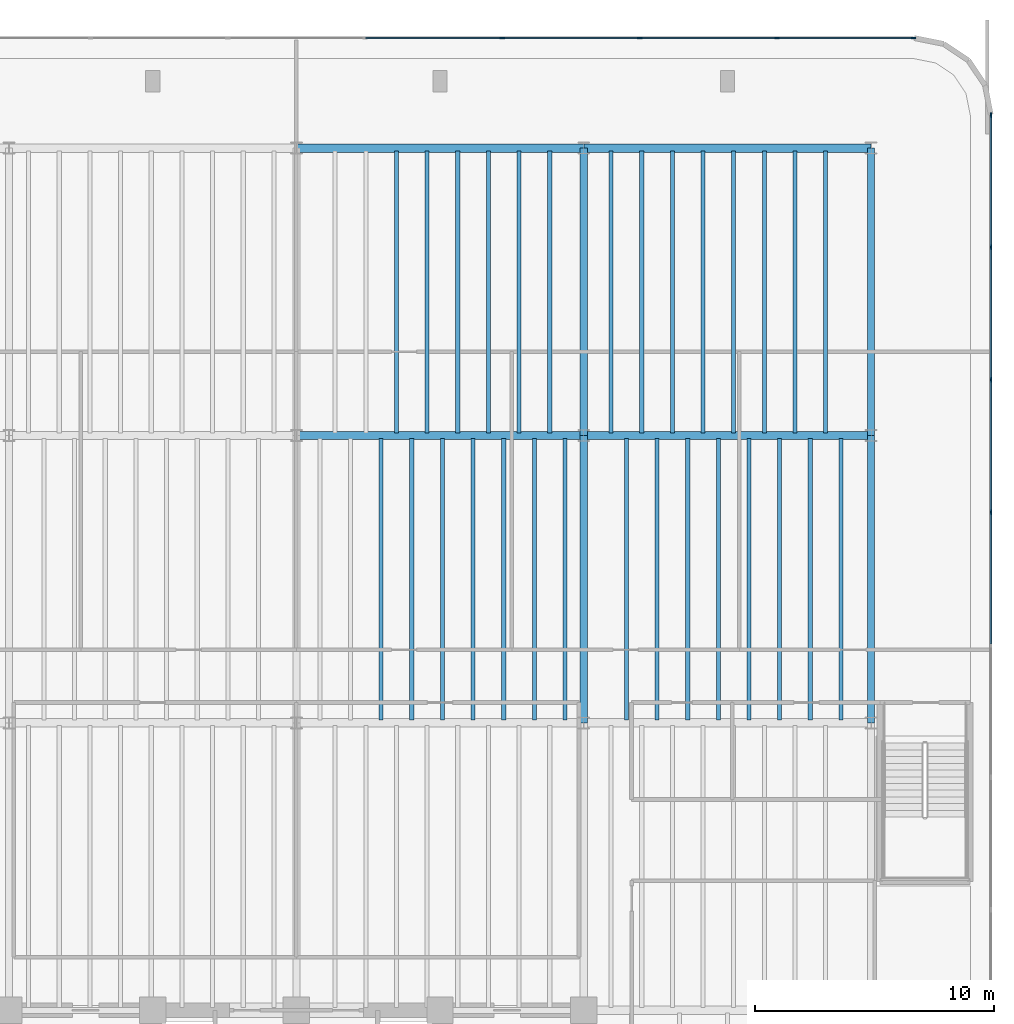
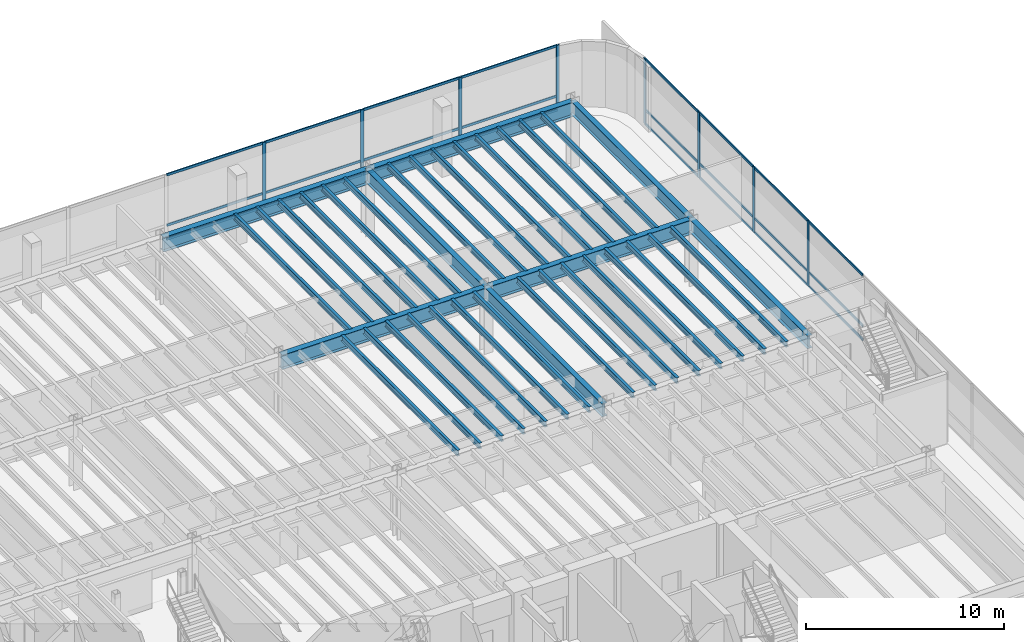
# One storey, part 9 of 18: 37 beams, 32 members, 2 elements without a shape of their own.
"""IFC4 building model written with IfcOpenShell, lengths in metres."""

from ifc_helpers import new_model, si_unit, direction, frame, origin, origin_2d, place, context, subcontext, project, spatial, rectangle, i_section, extrude, source, transform, mapped, material, layer, layer_set, material_profile, profile_set, type_object, element, aggregate, save


model = new_model("IFC4")

# Units and contexts
model_context = context("Model", 3, precision=1e-05, world=origin(), true_north=direction((0.0, 1.0)))
body_context = subcontext(model_context, "Body", "Model", "MODEL_VIEW")
ifc_project = project(units=[si_unit("LENGTHUNIT", "METRE"), si_unit("AREAUNIT", "SQUARE_METRE"), si_unit("VOLUMEUNIT", "CUBIC_METRE"), si_unit("PLANEANGLEUNIT", "RADIAN"), si_unit("MASSUNIT", "GRAM", prefix="KILO")], contexts=[model_context])

# Site, building, storey
site_placement = place(None, origin())
site = spatial("IfcSite", under=ifc_project, at=site_placement, CompositionType="ELEMENT")
building_placement = place(site_placement, origin())
building = spatial("IfcBuilding", under=site, at=building_placement, Name="Brelvock Crest Care Tower", CompositionType="ELEMENT")
storey_placement = place(building_placement, frame((0.0, 0.0, 5.39990234375)))
storey = spatial("IfcBuildingStorey", under=building, at=storey_placement, Name="L01", CompositionType="ELEMENT", Elevation=5.39990234375)

# Beams
ifc_material_1 = material(Name="Steel Grade 350", Category="steel")
ifc_material_profile_1 = material_profile(ifc_material_1, i_section(OverallWidth=0.300048828125, OverallDepth=0.800048828125, WebThickness=0.013916015625, FlangeThickness=0.02197265625, at=origin_2d()), Name="800WB192")
ifc_profile_set_1 = profile_set([ifc_material_profile_1], Name="Steel Grade 350")
beam_type_1 = type_object("IfcBeamType", Name="BM-G5", PredefinedType="BEAM", material=ifc_profile_set_1)
shared_shape_1 = source(origin(), body_context, "Body", "SweptSolid", [
    extrude(i_section(OverallWidth=0.300048828125, OverallDepth=0.800048828125, WebThickness=0.013916015625, FlangeThickness=0.02197265625, at=origin_2d()), origin(), (0.0, 0.0, 1.0), 12.0),
])
for number, where, z_axis, x_axis, name in (
    (1, (48.0, 30.0, 3.64013671875), (0.0, 1.0, 0.0), (-1.0, 0.0, 0.0), "BM-PODY-L01-48-30"),
    (2, (48.0, 42.0, 3.64013671875), (0.0, 1.0, 0.0), (-1.0, 0.0, 0.0), "BM-PODY-L01-48-42"),
    (3, (60.0, 30.0, 3.64013671875), (0.0, 1.0, 0.0), (-1.0, 0.0, 0.0), "BM-PODY-L01-60-30"),
    (4, (60.0, 42.0, 3.64013671875), (0.0, 1.0, 0.0), (-1.0, 0.0, 0.0), "BM-PODY-L01-60-42"),
):
    element("IfcBeam", number, at=place(storey_placement, frame(where, z_axis=z_axis, x_axis=x_axis)), inside=storey, type_object=beam_type_1, Name=name, PredefinedType="BEAM", context=body_context, shape_type="MappedRepresentation", body=[
        mapped(shared_shape_1, transform((0.0, 0.0, 0.0), x_axis=(1.0, 0.0, 0.0), y_axis=(0.0, 1.0, 0.0), z_axis=(0.0, 0.0, 1.0), scale=1.0)),
    ])
ifc_material_profile_2 = material_profile(ifc_material_1, i_section(OverallWidth=0.35009765625, OverallDepth=0.89990234375, WebThickness=0.01611328125, FlangeThickness=0.028076171875, at=origin_2d()), Name="900WB257")
ifc_profile_set_2 = profile_set([ifc_material_profile_2], Name="Steel Grade 350")
beam_type_2 = type_object("IfcBeamType", Name="BM-G6", PredefinedType="BEAM", material=ifc_profile_set_2)
shared_shape_2 = source(origin(), body_context, "Body", "SweptSolid", [
    extrude(i_section(OverallWidth=0.35009765625, OverallDepth=0.89990234375, WebThickness=0.01611328125, FlangeThickness=0.028076171875, at=origin_2d()), origin(), (0.0, 0.0, 1.0), 12.0),
])
for number, where, z_axis, x_axis, name in (
    (5, (36.0, 42.0, 3.590087890625), (1.0, 0.0, 0.0), (0.0, 1.0, 0.0), "BM-PODX-L01-42-36"),
    (6, (48.0, 42.0, 3.590087890625), (1.0, 0.0, 0.0), (0.0, 1.0, 0.0), "BM-PODX-L01-42-48"),
    (7, (36.0, 54.0, 3.590087890625), (1.0, 0.0, 0.0), (0.0, 1.0, 0.0), "BM-PODX-L01-54-36"),
    (8, (48.0, 54.0, 3.590087890625), (1.0, 0.0, 0.0), (0.0, 1.0, 0.0), "BM-PODX-L01-54-48"),
):
    element("IfcBeam", number, at=place(storey_placement, frame(where, z_axis=z_axis, x_axis=x_axis)), inside=storey, type_object=beam_type_2, Name=name, PredefinedType="BEAM", context=body_context, shape_type="MappedRepresentation", body=[
        mapped(shared_shape_2, transform((0.0, 0.0, 0.0), x_axis=(1.0, 0.0, 0.0), y_axis=(0.0, 1.0, 0.0), z_axis=(0.0, 0.0, 1.0), scale=1.0)),
    ])
ifc_material_profile_3 = material_profile(ifc_material_1, i_section(OverallWidth=0.172119140625, OverallDepth=0.35888671875, WebThickness=0.008056640625, FlangeThickness=0.012939453125, FilletRadius=0.011474609375, at=origin_2d()), Name="360UB56.7")
ifc_profile_set_3 = profile_set([ifc_material_profile_3], Name="Steel Grade 350")
beam_type_3 = type_object("IfcBeamType", Name="BM-J1", PredefinedType="JOIST", material=ifc_profile_set_3)
shared_shape_3 = source(origin(), body_context, "Body", "SweptSolid", [
    extrude(i_section(OverallWidth=0.172119140625, OverallDepth=0.35888671875, WebThickness=0.008056640625, FlangeThickness=0.012939453125, FilletRadius=0.011474609375, at=origin_2d()), origin(), (0.0, 0.0, 1.0), 11.77001953125),
])
for number, where, z_axis, x_axis, name in (
    (9, (39.5400390625, 30.114990234375, 3.860595703125), (0.0, 1.0, 0.0), (-1.0, 0.0, 0.0), "BM-PODJ-L01-3954-30"),
    (10, (40.820068359375, 30.114990234375, 3.860595703125), (0.0, 1.0, 0.0), (-1.0, 0.0, 0.0), "BM-PODJ-L01-4082-30"),
    (11, (40.179931640625, 42.114990234375, 3.860595703125), (0.0, 1.0, 0.0), (-1.0, 0.0, 0.0), "BM-PODJ-L01-4018-42"),
    (12, (42.10009765625, 30.114990234375, 3.860595703125), (0.0, 1.0, 0.0), (-1.0, 0.0, 0.0), "BM-PODJ-L01-4210-30"),
    (13, (41.4599609375, 42.114990234375, 3.860595703125), (0.0, 1.0, 0.0), (-1.0, 0.0, 0.0), "BM-PODJ-L01-4146-42"),
    (14, (43.3798828125, 30.114990234375, 3.860595703125), (0.0, 1.0, 0.0), (-1.0, 0.0, 0.0), "BM-PODJ-L01-4338-30"),
    (15, (42.739990234375, 42.114990234375, 3.860595703125), (0.0, 1.0, 0.0), (-1.0, 0.0, 0.0), "BM-PODJ-L01-4274-42"),
    (16, (44.659912109375, 30.114990234375, 3.860595703125), (0.0, 1.0, 0.0), (-1.0, 0.0, 0.0), "BM-PODJ-L01-4466-30"),
    (17, (44.02001953125, 42.114990234375, 3.860595703125), (0.0, 1.0, 0.0), (-1.0, 0.0, 0.0), "BM-PODJ-L01-4402-42"),
    (18, (45.93994140625, 30.114990234375, 3.860595703125), (0.0, 1.0, 0.0), (-1.0, 0.0, 0.0), "BM-PODJ-L01-4594-30"),
    (19, (45.300048828125, 42.114990234375, 3.860595703125), (0.0, 1.0, 0.0), (-1.0, 0.0, 0.0), "BM-PODJ-L01-4530-42"),
    (20, (47.219970703125, 30.114990234375, 3.860595703125), (0.0, 1.0, 0.0), (-1.0, 0.0, 0.0), "BM-PODJ-L01-4722-30"),
    (21, (46.580078125, 42.114990234375, 3.860595703125), (0.0, 1.0, 0.0), (-1.0, 0.0, 0.0), "BM-PODJ-L01-4658-42"),
    (22, (49.780029296875, 30.114990234375, 3.860595703125), (0.0, 1.0, 0.0), (-1.0, 0.0, 0.0), "BM-PODJ-L01-4978-30"),
    (23, (49.139892578125, 42.114990234375, 3.860595703125), (0.0, 1.0, 0.0), (-1.0, 0.0, 0.0), "BM-PODJ-L01-4914-42"),
    (24, (51.06005859375, 30.114990234375, 3.860595703125), (0.0, 1.0, 0.0), (-1.0, 0.0, 0.0), "BM-PODJ-L01-5106-30"),
    (25, (50.419921875, 42.114990234375, 3.860595703125), (0.0, 1.0, 0.0), (-1.0, 0.0, 0.0), "BM-PODJ-L01-5042-42"),
    (26, (52.340087890625, 30.114990234375, 3.860595703125), (0.0, 1.0, 0.0), (-1.0, 0.0, 0.0), "BM-PODJ-L01-5234-30"),
    (27, (51.699951171875, 42.114990234375, 3.860595703125), (0.0, 1.0, 0.0), (-1.0, 0.0, 0.0), "BM-PODJ-L01-5170-42"),
    (28, (53.6201171875, 30.114990234375, 3.860595703125), (0.0, 1.0, 0.0), (-1.0, 0.0, 0.0), "BM-PODJ-L01-5362-30"),
    (29, (52.97998046875, 42.114990234375, 3.860595703125), (0.0, 1.0, 0.0), (-1.0, 0.0, 0.0), "BM-PODJ-L01-5298-42"),
    (30, (54.89990234375, 30.114990234375, 3.860595703125), (0.0, 1.0, 0.0), (-1.0, 0.0, 0.0), "BM-PODJ-L01-5490-30"),
    (31, (54.260009765625, 42.114990234375, 3.860595703125), (0.0, 1.0, 0.0), (-1.0, 0.0, 0.0), "BM-PODJ-L01-5426-42"),
    (32, (56.179931640625, 30.114990234375, 3.860595703125), (0.0, 1.0, 0.0), (-1.0, 0.0, 0.0), "BM-PODJ-L01-5618-30"),
    (33, (55.5400390625, 42.114990234375, 3.860595703125), (0.0, 1.0, 0.0), (-1.0, 0.0, 0.0), "BM-PODJ-L01-5554-42"),
    (34, (57.4599609375, 30.114990234375, 3.860595703125), (0.0, 1.0, 0.0), (-1.0, 0.0, 0.0), "BM-PODJ-L01-5746-30"),
    (35, (56.820068359375, 42.114990234375, 3.860595703125), (0.0, 1.0, 0.0), (-1.0, 0.0, 0.0), "BM-PODJ-L01-5682-42"),
    (36, (58.739990234375, 30.114990234375, 3.860595703125), (0.0, 1.0, 0.0), (-1.0, 0.0, 0.0), "BM-PODJ-L01-5874-30"),
    (37, (58.10009765625, 42.114990234375, 3.860595703125), (0.0, 1.0, 0.0), (-1.0, 0.0, 0.0), "BM-PODJ-L01-5810-42"),
):
    element("IfcBeam", number, at=place(storey_placement, frame(where, z_axis=z_axis, x_axis=x_axis)), inside=storey, type_object=beam_type_3, Name=name, PredefinedType="JOIST", context=body_context, shape_type="MappedRepresentation", body=[
        mapped(shared_shape_3, transform((0.0, 0.0, 0.0), x_axis=(1.0, 0.0, 0.0), y_axis=(0.0, 1.0, 0.0), z_axis=(0.0, 0.0, 1.0), scale=1.0)),
    ])

# Curtain wall, members
ifc_material_2 = material(Name="Dark Glass Double Glazed Low-E", Category="glass")
ifc_layer = layer(ifc_material_2, 0.179931640625, Name="CWS-1")
ifc_layer_set = layer_set([ifc_layer], Name="Dark Glass Double Glazed Low-E")
curtain_wall_type = type_object("IfcCurtainWallType", Name="CWS-1", PredefinedType="NOTDEFINED", material=ifc_layer_set)
curtain_wall_1_placement = place(storey_placement, origin())
curtain_wall_1 = element("IfcCurtainWall", 38, at=curtain_wall_1_placement, inside=storey, type_object=curtain_wall_type, Name="L01 Curtain Wall E09", PredefinedType="NOTDEFINED")
ifc_material_3 = material(Name="Aluminium 6063-T6", Category="aluminium")
ifc_material_profile_4 = material_profile(ifc_material_3, rectangle(XDim=0.06494140625, YDim=0.199951171875, at=origin_2d()), Name="ALU65x200")
ifc_profile_set_4 = profile_set([ifc_material_profile_4], Name="Aluminium 6063-T6")
member_type_1 = type_object("IfcMemberType", Name="CWM-1", PredefinedType="MULLION", material=ifc_profile_set_4)
shared_shape_4 = source(origin(), body_context, "Body", "SweptSolid", [
    extrude(rectangle(XDim=0.06494140625, YDim=0.199951171875, at=origin_2d()), origin(), (0.0, 0.0, 1.0), 4.0400390625),
])
member_1_placement = place(storey_placement, frame((44.60009765625, 58.60009765625, 0.0), z_axis=(0.0, 0.0, 1.0), x_axis=(0.0, 1.0, 0.0)))
member_1 = element("IfcMember", 39, at=member_1_placement, type_object=member_type_1, Name="CW-1 mullion 7", PredefinedType="MULLION", context=body_context, shape_type="MappedRepresentation", body=[
    mapped(shared_shape_4, transform((0.0, 0.0, 0.0), x_axis=(1.0, 0.0, 0.0), y_axis=(0.0, 1.0, 0.0), z_axis=(0.0, 0.0, 1.0), scale=1.0)),
])
member_2_placement = place(storey_placement, frame((50.333251953125, 58.60009765625, 0.0), z_axis=(0.0, 0.0, 1.0), x_axis=(0.0, 1.0, 0.0)))
member_2 = element("IfcMember", 40, at=member_2_placement, type_object=member_type_1, Name="CW-1 mullion 8", PredefinedType="MULLION", context=body_context, shape_type="MappedRepresentation", body=[
    mapped(shared_shape_4, transform((0.0, 0.0, 0.0), x_axis=(1.0, 0.0, 0.0), y_axis=(0.0, 1.0, 0.0), z_axis=(0.0, 0.0, 1.0), scale=1.0)),
])
member_3_placement = place(storey_placement, frame((56.066650390625, 58.60009765625, 0.0), z_axis=(0.0, 0.0, 1.0), x_axis=(0.0, 1.0, 0.0)))
member_3 = element("IfcMember", 41, at=member_3_placement, type_object=member_type_1, Name="CW-1 mullion 9", PredefinedType="MULLION", context=body_context, shape_type="MappedRepresentation", body=[
    mapped(shared_shape_4, transform((0.0, 0.0, 0.0), x_axis=(1.0, 0.0, 0.0), y_axis=(0.0, 1.0, 0.0), z_axis=(0.0, 0.0, 1.0), scale=1.0)),
])
member_4_placement = place(storey_placement, frame((61.767578125, 58.60009765625, 0.0), z_axis=(0.0, 0.0, 1.0), x_axis=(0.0, 1.0, 0.0)))
member_4 = element("IfcMember", 42, at=member_4_placement, type_object=member_type_1, Name="CW-1 mullion 10", PredefinedType="MULLION", context=body_context, shape_type="MappedRepresentation", body=[
    mapped(shared_shape_4, transform((0.0, 0.0, 0.0), x_axis=(1.0, 0.0, 0.0), y_axis=(0.0, 1.0, 0.0), z_axis=(0.0, 0.0, 1.0), scale=1.0)),
])

curtain_wall_2_placement = place(storey_placement, origin())
curtain_wall_2 = element("IfcCurtainWall", 43, at=curtain_wall_2_placement, inside=storey, type_object=curtain_wall_type, Name="L01 Curtain Wall E14", PredefinedType="NOTDEFINED")
member_5_placement = place(storey_placement, frame((65.0, 55.367431640625, 0.0), z_axis=(0.0, 0.0, 1.0), x_axis=(1.0, 0.0, 0.0)))
member_5 = element("IfcMember", 44, at=member_5_placement, type_object=member_type_1, Name="CW-1 mullion 1", PredefinedType="MULLION", context=body_context, shape_type="MappedRepresentation", body=[
    mapped(shared_shape_4, transform((0.0, 0.0, 0.0), x_axis=(1.0, 0.0, 0.0), y_axis=(0.0, 1.0, 0.0), z_axis=(0.0, 0.0, 1.0), scale=1.0)),
])
member_6_placement = place(storey_placement, frame((65.0, 49.86669921875, 0.0), z_axis=(0.0, 0.0, 1.0), x_axis=(1.0, 0.0, 0.0)))
member_6 = element("IfcMember", 45, at=member_6_placement, type_object=member_type_1, Name="CW-1 mullion 2", PredefinedType="MULLION", context=body_context, shape_type="MappedRepresentation", body=[
    mapped(shared_shape_4, transform((0.0, 0.0, 0.0), x_axis=(1.0, 0.0, 0.0), y_axis=(0.0, 1.0, 0.0), z_axis=(0.0, 0.0, 1.0), scale=1.0)),
])
member_7_placement = place(storey_placement, frame((65.0, 44.333251953125, 0.0), z_axis=(0.0, 0.0, 1.0), x_axis=(1.0, 0.0, 0.0)))
member_7 = element("IfcMember", 46, at=member_7_placement, type_object=member_type_1, Name="CW-1 mullion 3", PredefinedType="MULLION", context=body_context, shape_type="MappedRepresentation", body=[
    mapped(shared_shape_4, transform((0.0, 0.0, 0.0), x_axis=(1.0, 0.0, 0.0), y_axis=(0.0, 1.0, 0.0), z_axis=(0.0, 0.0, 1.0), scale=1.0)),
])
member_8_placement = place(storey_placement, frame((65.0, 38.800048828125, 0.0), z_axis=(0.0, 0.0, 1.0), x_axis=(1.0, 0.0, 0.0)))
member_8 = element("IfcMember", 47, at=member_8_placement, type_object=member_type_1, Name="CW-1 mullion 4", PredefinedType="MULLION", context=body_context, shape_type="MappedRepresentation", body=[
    mapped(shared_shape_4, transform((0.0, 0.0, 0.0), x_axis=(1.0, 0.0, 0.0), y_axis=(0.0, 1.0, 0.0), z_axis=(0.0, 0.0, 1.0), scale=1.0)),
])
ifc_material_profile_5 = material_profile(ifc_material_3, rectangle(XDim=0.06494140625, YDim=0.14990234375, at=origin_2d()), Name="ALU65x150")
ifc_profile_set_5 = profile_set([ifc_material_profile_5], Name="Aluminium 6063-T6")
member_type_2 = type_object("IfcMemberType", Name="CWT-1", PredefinedType="USERDEFINED", material=ifc_profile_set_5)
shared_shape_5 = source(origin(), body_context, "Body", "SweptSolid", [
    extrude(rectangle(XDim=0.06494140625, YDim=0.14990234375, at=origin_2d()), origin(), (0.0, 0.0, 1.0), 5.435791015625),
])
member_9_placement = place(storey_placement, frame((65.0, 55.3349609375, 0.03271484375), z_axis=(0.0, -1.0, 0.0), x_axis=(1.0, 0.0, 0.0)))
member_9 = element("IfcMember", 48, at=member_9_placement, type_object=member_type_2, Name="CW-1 transom 1.1", ObjectType="TRANSOM", PredefinedType="USERDEFINED", context=body_context, shape_type="MappedRepresentation", body=[
    mapped(shared_shape_5, transform((0.0, 0.0, 0.0), x_axis=(1.0, 0.0, 0.0), y_axis=(0.0, 1.0, 0.0), z_axis=(0.0, 0.0, 1.0), scale=1.0)),
])
member_10_placement = place(storey_placement, frame((65.0, 55.3349609375, 0.900146484375), z_axis=(0.0, -1.0, 0.0), x_axis=(1.0, 0.0, 0.0)))
member_10 = element("IfcMember", 49, at=member_10_placement, type_object=member_type_2, Name="CW-1 transom 1.2", ObjectType="TRANSOM", PredefinedType="USERDEFINED", context=body_context, shape_type="MappedRepresentation", body=[
    mapped(shared_shape_5, transform((0.0, 0.0, 0.0), x_axis=(1.0, 0.0, 0.0), y_axis=(0.0, 1.0, 0.0), z_axis=(0.0, 0.0, 1.0), scale=1.0)),
])
member_11_placement = place(storey_placement, frame((65.0, 55.3349609375, 4.007568359375), z_axis=(0.0, -1.0, 0.0), x_axis=(1.0, 0.0, 0.0)))
member_11 = element("IfcMember", 50, at=member_11_placement, type_object=member_type_2, Name="CW-1 transom 1.3", ObjectType="TRANSOM", PredefinedType="USERDEFINED", context=body_context, shape_type="MappedRepresentation", body=[
    mapped(shared_shape_5, transform((0.0, 0.0, 0.0), x_axis=(1.0, 0.0, 0.0), y_axis=(0.0, 1.0, 0.0), z_axis=(0.0, 0.0, 1.0), scale=1.0)),
])
shared_shape_6 = source(origin(), body_context, "Body", "SweptSolid", [
    extrude(rectangle(XDim=0.06494140625, YDim=0.14990234375, at=origin_2d()), origin(), (0.0, 0.0, 1.0), 5.468505859375),
])
member_12_placement = place(storey_placement, frame((65.0, 49.834228515625, 0.03271484375), z_axis=(0.0, -1.0, 0.0), x_axis=(1.0, 0.0, 0.0)))
member_12 = element("IfcMember", 51, at=member_12_placement, type_object=member_type_2, Name="CW-1 transom 2.1", ObjectType="TRANSOM", PredefinedType="USERDEFINED", context=body_context, shape_type="MappedRepresentation", body=[
    mapped(shared_shape_6, transform((0.0, 0.0, 0.0), x_axis=(1.0, 0.0, 0.0), y_axis=(0.0, 1.0, 0.0), z_axis=(0.0, 0.0, 1.0), scale=1.0)),
])
member_13_placement = place(storey_placement, frame((65.0, 49.834228515625, 0.900146484375), z_axis=(0.0, -1.0, 0.0), x_axis=(1.0, 0.0, 0.0)))
member_13 = element("IfcMember", 52, at=member_13_placement, type_object=member_type_2, Name="CW-1 transom 2.2", ObjectType="TRANSOM", PredefinedType="USERDEFINED", context=body_context, shape_type="MappedRepresentation", body=[
    mapped(shared_shape_6, transform((0.0, 0.0, 0.0), x_axis=(1.0, 0.0, 0.0), y_axis=(0.0, 1.0, 0.0), z_axis=(0.0, 0.0, 1.0), scale=1.0)),
])
member_14_placement = place(storey_placement, frame((65.0, 49.834228515625, 4.007568359375), z_axis=(0.0, -1.0, 0.0), x_axis=(1.0, 0.0, 0.0)))
member_14 = element("IfcMember", 53, at=member_14_placement, type_object=member_type_2, Name="CW-1 transom 2.3", ObjectType="TRANSOM", PredefinedType="USERDEFINED", context=body_context, shape_type="MappedRepresentation", body=[
    mapped(shared_shape_6, transform((0.0, 0.0, 0.0), x_axis=(1.0, 0.0, 0.0), y_axis=(0.0, 1.0, 0.0), z_axis=(0.0, 0.0, 1.0), scale=1.0)),
])
member_15_placement = place(storey_placement, frame((65.0, 38.767578125, 0.03271484375), z_axis=(0.0, -1.0, 0.0), x_axis=(1.0, 0.0, 0.0)))
member_15 = element("IfcMember", 54, at=member_15_placement, type_object=member_type_2, Name="CW-1 transom 4.1", ObjectType="TRANSOM", PredefinedType="USERDEFINED", context=body_context, shape_type="MappedRepresentation", body=[
    mapped(shared_shape_6, transform((0.0, 0.0, 0.0), x_axis=(1.0, 0.0, 0.0), y_axis=(0.0, 1.0, 0.0), z_axis=(0.0, 0.0, 1.0), scale=1.0)),
])
member_16_placement = place(storey_placement, frame((65.0, 38.767578125, 0.900146484375), z_axis=(0.0, -1.0, 0.0), x_axis=(1.0, 0.0, 0.0)))
member_16 = element("IfcMember", 55, at=member_16_placement, type_object=member_type_2, Name="CW-1 transom 4.2", ObjectType="TRANSOM", PredefinedType="USERDEFINED", context=body_context, shape_type="MappedRepresentation", body=[
    mapped(shared_shape_6, transform((0.0, 0.0, 0.0), x_axis=(1.0, 0.0, 0.0), y_axis=(0.0, 1.0, 0.0), z_axis=(0.0, 0.0, 1.0), scale=1.0)),
])
member_17_placement = place(storey_placement, frame((65.0, 38.767578125, 4.007568359375), z_axis=(0.0, -1.0, 0.0), x_axis=(1.0, 0.0, 0.0)))
member_17 = element("IfcMember", 56, at=member_17_placement, type_object=member_type_2, Name="CW-1 transom 4.3", ObjectType="TRANSOM", PredefinedType="USERDEFINED", context=body_context, shape_type="MappedRepresentation", body=[
    mapped(shared_shape_6, transform((0.0, 0.0, 0.0), x_axis=(1.0, 0.0, 0.0), y_axis=(0.0, 1.0, 0.0), z_axis=(0.0, 0.0, 1.0), scale=1.0)),
])
shared_shape_7 = source(origin(), body_context, "Body", "SweptSolid", [
    extrude(rectangle(XDim=0.06494140625, YDim=0.14990234375, at=origin_2d()), origin(), (0.0, 0.0, 1.0), 5.46826171875),
])
member_18_placement = place(storey_placement, frame((65.0, 44.30078125, 0.03271484375), z_axis=(0.0, -1.0, 0.0), x_axis=(1.0, 0.0, 0.0)))
member_18 = element("IfcMember", 57, at=member_18_placement, type_object=member_type_2, Name="CW-1 transom 3.1", ObjectType="TRANSOM", PredefinedType="USERDEFINED", context=body_context, shape_type="MappedRepresentation", body=[
    mapped(shared_shape_7, transform((0.0, 0.0, 0.0), x_axis=(1.0, 0.0, 0.0), y_axis=(0.0, 1.0, 0.0), z_axis=(0.0, 0.0, 1.0), scale=1.0)),
])
member_19_placement = place(storey_placement, frame((65.0, 44.30078125, 0.900146484375), z_axis=(0.0, -1.0, 0.0), x_axis=(1.0, 0.0, 0.0)))
member_19 = element("IfcMember", 58, at=member_19_placement, type_object=member_type_2, Name="CW-1 transom 3.2", ObjectType="TRANSOM", PredefinedType="USERDEFINED", context=body_context, shape_type="MappedRepresentation", body=[
    mapped(shared_shape_7, transform((0.0, 0.0, 0.0), x_axis=(1.0, 0.0, 0.0), y_axis=(0.0, 1.0, 0.0), z_axis=(0.0, 0.0, 1.0), scale=1.0)),
])
member_20_placement = place(storey_placement, frame((65.0, 44.30078125, 4.007568359375), z_axis=(0.0, -1.0, 0.0), x_axis=(1.0, 0.0, 0.0)))
member_20 = element("IfcMember", 59, at=member_20_placement, type_object=member_type_2, Name="CW-1 transom 3.3", ObjectType="TRANSOM", PredefinedType="USERDEFINED", context=body_context, shape_type="MappedRepresentation", body=[
    mapped(shared_shape_7, transform((0.0, 0.0, 0.0), x_axis=(1.0, 0.0, 0.0), y_axis=(0.0, 1.0, 0.0), z_axis=(0.0, 0.0, 1.0), scale=1.0)),
])
aggregate(curtain_wall_2, [member_5, member_6, member_7, member_8, member_9, member_10, member_11, member_12, member_13, member_14, member_18, member_19, member_20, member_15, member_16, member_17])

# Member
shared_shape_8 = source(origin(), body_context, "Body", "SweptSolid", [
    extrude(rectangle(XDim=0.06494140625, YDim=0.14990234375, at=origin_2d()), origin(), (0.0, 0.0, 1.0), 5.635986328125),
])
member_21_placement = place(storey_placement, frame((56.09912109375, 58.60009765625, 0.03271484375), z_axis=(1.0, 0.0, 0.0), x_axis=(0.0, 1.0, 0.0)))
member_21 = element("IfcMember", 60, at=member_21_placement, type_object=member_type_2, Name="CW-1 transom 9.1", ObjectType="TRANSOM", PredefinedType="USERDEFINED", context=body_context, shape_type="MappedRepresentation", body=[
    mapped(shared_shape_8, transform((0.0, 0.0, 0.0), x_axis=(1.0, 0.0, 0.0), y_axis=(0.0, 1.0, 0.0), z_axis=(0.0, 0.0, 1.0), scale=1.0)),
])

member_22_placement = place(storey_placement, frame((56.09912109375, 58.60009765625, 0.900146484375), z_axis=(1.0, 0.0, 0.0), x_axis=(0.0, 1.0, 0.0)))
member_22 = element("IfcMember", 61, at=member_22_placement, type_object=member_type_2, Name="CW-1 transom 9.2", ObjectType="TRANSOM", PredefinedType="USERDEFINED", context=body_context, shape_type="MappedRepresentation", body=[
    mapped(shared_shape_8, transform((0.0, 0.0, 0.0), x_axis=(1.0, 0.0, 0.0), y_axis=(0.0, 1.0, 0.0), z_axis=(0.0, 0.0, 1.0), scale=1.0)),
])

member_23_placement = place(storey_placement, frame((56.09912109375, 58.60009765625, 4.007568359375), z_axis=(1.0, 0.0, 0.0), x_axis=(0.0, 1.0, 0.0)))
member_23 = element("IfcMember", 62, at=member_23_placement, type_object=member_type_2, Name="CW-1 transom 9.3", ObjectType="TRANSOM", PredefinedType="USERDEFINED", context=body_context, shape_type="MappedRepresentation", body=[
    mapped(shared_shape_8, transform((0.0, 0.0, 0.0), x_axis=(1.0, 0.0, 0.0), y_axis=(0.0, 1.0, 0.0), z_axis=(0.0, 0.0, 1.0), scale=1.0)),
])

shared_shape_9 = source(origin(), body_context, "Body", "SweptSolid", [
    extrude(rectangle(XDim=0.06494140625, YDim=0.14990234375, at=origin_2d()), origin(), (0.0, 0.0, 1.0), 5.66845703125),
])
member_24_placement = place(storey_placement, frame((50.36572265625, 58.60009765625, 0.03271484375), z_axis=(1.0, 0.0, 0.0), x_axis=(0.0, 1.0, 0.0)))
member_24 = element("IfcMember", 63, at=member_24_placement, type_object=member_type_2, Name="CW-1 transom 8.1", ObjectType="TRANSOM", PredefinedType="USERDEFINED", context=body_context, shape_type="MappedRepresentation", body=[
    mapped(shared_shape_9, transform((0.0, 0.0, 0.0), x_axis=(1.0, 0.0, 0.0), y_axis=(0.0, 1.0, 0.0), z_axis=(0.0, 0.0, 1.0), scale=1.0)),
])

member_25_placement = place(storey_placement, frame((50.36572265625, 58.60009765625, 0.900146484375), z_axis=(1.0, 0.0, 0.0), x_axis=(0.0, 1.0, 0.0)))
member_25 = element("IfcMember", 64, at=member_25_placement, type_object=member_type_2, Name="CW-1 transom 8.2", ObjectType="TRANSOM", PredefinedType="USERDEFINED", context=body_context, shape_type="MappedRepresentation", body=[
    mapped(shared_shape_9, transform((0.0, 0.0, 0.0), x_axis=(1.0, 0.0, 0.0), y_axis=(0.0, 1.0, 0.0), z_axis=(0.0, 0.0, 1.0), scale=1.0)),
])

member_26_placement = place(storey_placement, frame((50.36572265625, 58.60009765625, 4.007568359375), z_axis=(1.0, 0.0, 0.0), x_axis=(0.0, 1.0, 0.0)))
member_26 = element("IfcMember", 65, at=member_26_placement, type_object=member_type_2, Name="CW-1 transom 8.3", ObjectType="TRANSOM", PredefinedType="USERDEFINED", context=body_context, shape_type="MappedRepresentation", body=[
    mapped(shared_shape_9, transform((0.0, 0.0, 0.0), x_axis=(1.0, 0.0, 0.0), y_axis=(0.0, 1.0, 0.0), z_axis=(0.0, 0.0, 1.0), scale=1.0)),
])

shared_shape_10 = source(origin(), body_context, "Body", "SweptSolid", [
    extrude(rectangle(XDim=0.06494140625, YDim=0.14990234375, at=origin_2d()), origin(), (0.0, 0.0, 1.0), 5.668212890625),
])
member_27_placement = place(storey_placement, frame((38.899169921875, 58.60009765625, 0.03271484375), z_axis=(1.0, 0.0, 0.0), x_axis=(0.0, 1.0, 0.0)))
member_27 = element("IfcMember", 66, at=member_27_placement, type_object=member_type_2, Name="CW-1 transom 6.1", ObjectType="TRANSOM", PredefinedType="USERDEFINED", context=body_context, shape_type="MappedRepresentation", body=[
    mapped(shared_shape_10, transform((0.0, 0.0, 0.0), x_axis=(1.0, 0.0, 0.0), y_axis=(0.0, 1.0, 0.0), z_axis=(0.0, 0.0, 1.0), scale=1.0)),
])

member_28_placement = place(storey_placement, frame((38.899169921875, 58.60009765625, 0.900146484375), z_axis=(1.0, 0.0, 0.0), x_axis=(0.0, 1.0, 0.0)))
member_28 = element("IfcMember", 67, at=member_28_placement, type_object=member_type_2, Name="CW-1 transom 6.2", ObjectType="TRANSOM", PredefinedType="USERDEFINED", context=body_context, shape_type="MappedRepresentation", body=[
    mapped(shared_shape_10, transform((0.0, 0.0, 0.0), x_axis=(1.0, 0.0, 0.0), y_axis=(0.0, 1.0, 0.0), z_axis=(0.0, 0.0, 1.0), scale=1.0)),
])

member_29_placement = place(storey_placement, frame((38.899169921875, 58.60009765625, 4.007568359375), z_axis=(1.0, 0.0, 0.0), x_axis=(0.0, 1.0, 0.0)))
member_29 = element("IfcMember", 68, at=member_29_placement, type_object=member_type_2, Name="CW-1 transom 6.3", ObjectType="TRANSOM", PredefinedType="USERDEFINED", context=body_context, shape_type="MappedRepresentation", body=[
    mapped(shared_shape_10, transform((0.0, 0.0, 0.0), x_axis=(1.0, 0.0, 0.0), y_axis=(0.0, 1.0, 0.0), z_axis=(0.0, 0.0, 1.0), scale=1.0)),
])

member_30_placement = place(storey_placement, frame((44.632568359375, 58.60009765625, 0.03271484375), z_axis=(1.0, 0.0, 0.0), x_axis=(0.0, 1.0, 0.0)))
member_30 = element("IfcMember", 69, at=member_30_placement, type_object=member_type_2, Name="CW-1 transom 7.1", ObjectType="TRANSOM", PredefinedType="USERDEFINED", context=body_context, shape_type="MappedRepresentation", body=[
    mapped(shared_shape_10, transform((0.0, 0.0, 0.0), x_axis=(1.0, 0.0, 0.0), y_axis=(0.0, 1.0, 0.0), z_axis=(0.0, 0.0, 1.0), scale=1.0)),
])

member_31_placement = place(storey_placement, frame((44.632568359375, 58.60009765625, 0.900146484375), z_axis=(1.0, 0.0, 0.0), x_axis=(0.0, 1.0, 0.0)))
member_31 = element("IfcMember", 70, at=member_31_placement, type_object=member_type_2, Name="CW-1 transom 7.2", ObjectType="TRANSOM", PredefinedType="USERDEFINED", context=body_context, shape_type="MappedRepresentation", body=[
    mapped(shared_shape_10, transform((0.0, 0.0, 0.0), x_axis=(1.0, 0.0, 0.0), y_axis=(0.0, 1.0, 0.0), z_axis=(0.0, 0.0, 1.0), scale=1.0)),
])

member_32_placement = place(storey_placement, frame((44.632568359375, 58.60009765625, 4.007568359375), z_axis=(1.0, 0.0, 0.0), x_axis=(0.0, 1.0, 0.0)))
member_32 = element("IfcMember", 71, at=member_32_placement, type_object=member_type_2, Name="CW-1 transom 7.3", ObjectType="TRANSOM", PredefinedType="USERDEFINED", context=body_context, shape_type="MappedRepresentation", body=[
    mapped(shared_shape_10, transform((0.0, 0.0, 0.0), x_axis=(1.0, 0.0, 0.0), y_axis=(0.0, 1.0, 0.0), z_axis=(0.0, 0.0, 1.0), scale=1.0)),
])

aggregate(curtain_wall_1, [member_1, member_2, member_3, member_4, member_27, member_28, member_29, member_30, member_31, member_32, member_24, member_25, member_26, member_21, member_22, member_23])

save(model, "model.ifc")
